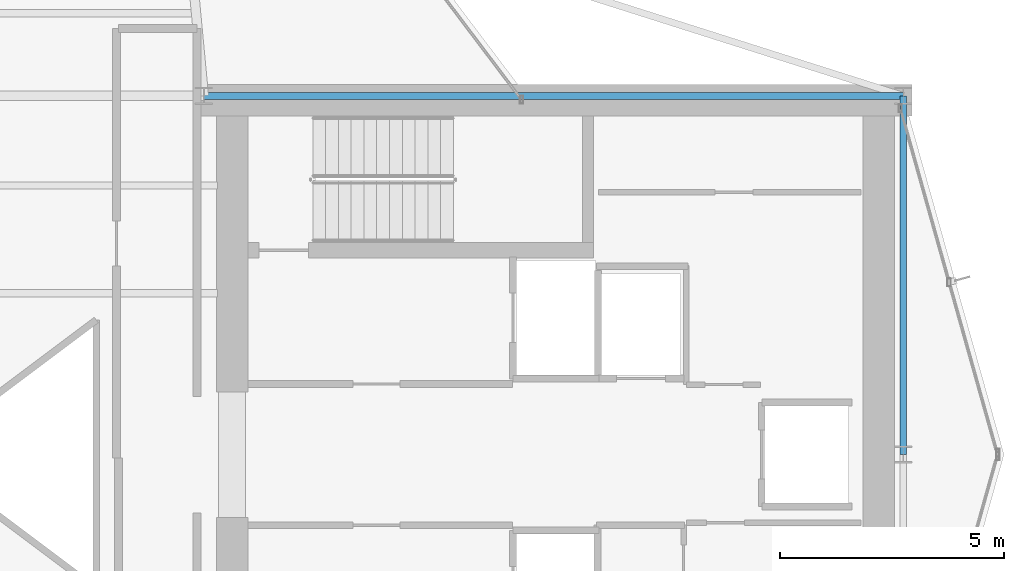
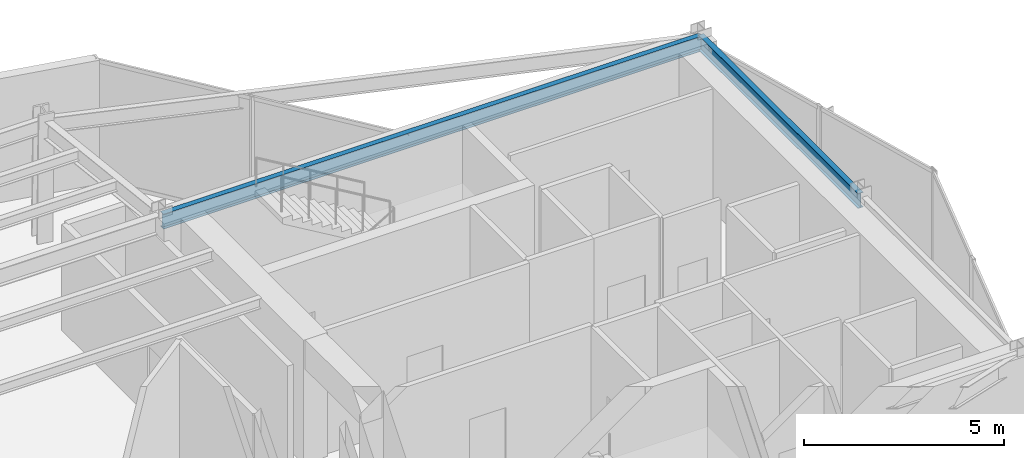
# One storey, part 12 of 21: 2 beams.
"""IFC4 building model written with IfcOpenShell, lengths in metres."""

from ifc_helpers import new_model, si_unit, direction, frame, origin, origin_2d, place, context, subcontext, project, spatial, i_section, extrude, material, material_profile, profile_set, type_object, element, save


model = new_model("IFC4")

# Units and contexts
model_context = context("Model", 3, precision=1e-05, world=origin(), true_north=direction((0.0, 1.0)))
body_context = subcontext(model_context, "Body", "Model", "MODEL_VIEW")
ifc_project = project(units=[si_unit("LENGTHUNIT", "METRE"), si_unit("AREAUNIT", "SQUARE_METRE"), si_unit("VOLUMEUNIT", "CUBIC_METRE"), si_unit("PLANEANGLEUNIT", "RADIAN"), si_unit("MASSUNIT", "GRAM", prefix="KILO")], contexts=[model_context])

# Site, building, storey
site_placement = place(None, origin())
site = spatial("IfcSite", under=ifc_project, at=site_placement, CompositionType="ELEMENT")
building_placement = place(site_placement, origin())
building = spatial("IfcBuilding", under=site, at=building_placement, Name="Veymaron Broadcast Tower", CompositionType="ELEMENT")
storey_placement = place(building_placement, frame((0.0, 0.0, 240.449951171875)))
storey = spatial("IfcBuildingStorey", under=building, at=storey_placement, Name="L56", CompositionType="ELEMENT", Elevation=240.449951171875)

# Beams
ifc_material = material(Name="Structural steel ASTM A992 Gr 50", Category="steel")
ifc_material_profile = material_profile(ifc_material, i_section(OverallWidth=0.154052734375, OverallDepth=0.458984375, WebThickness=0.009033203125, FlangeThickness=0.015380859375, at=origin_2d()), Name="W460X68")
ifc_profile_set = profile_set([ifc_material_profile], Name="Structural steel ASTM A992 Gr 50")
beam_type = type_object("IfcBeamType", Name="BM-SP2", PredefinedType="SPANDREL", material=ifc_profile_set)
beam_1_placement = place(storey_placement, frame((39.0, 32.0, 3.560546875), z_axis=(1.0, 0.0, 0.0), x_axis=(0.0, 1.0, 0.0)))
element("IfcBeam", 1, at=beam_1_placement, inside=storey, type_object=beam_type, Name="L56 primary structural floor girder", PredefinedType="SPANDREL", context=body_context, shape_type="SweptSolid", body=[
    extrude(i_section(OverallWidth=0.154052734375, OverallDepth=0.458984375, WebThickness=0.009033203125, FlangeThickness=0.015380859375, at=origin_2d()), origin(), (0.0, 0.0, 1.0), 15.60009765625),
])
beam_2_placement = place(storey_placement, frame((54.60009765625, 24.0, 3.560546875), z_axis=(0.0, 1.0, 0.0), x_axis=(-1.0, 0.0, 0.0)))
element("IfcBeam", 2, at=beam_2_placement, inside=storey, type_object=beam_type, Name="L56 primary structural floor girder", PredefinedType="SPANDREL", context=body_context, shape_type="SweptSolid", body=[
    extrude(i_section(OverallWidth=0.154052734375, OverallDepth=0.458984375, WebThickness=0.009033203125, FlangeThickness=0.015380859375, at=origin_2d()), origin(), (0.0, 0.0, 1.0), 8.0),
])

save(model, "model.ifc")
